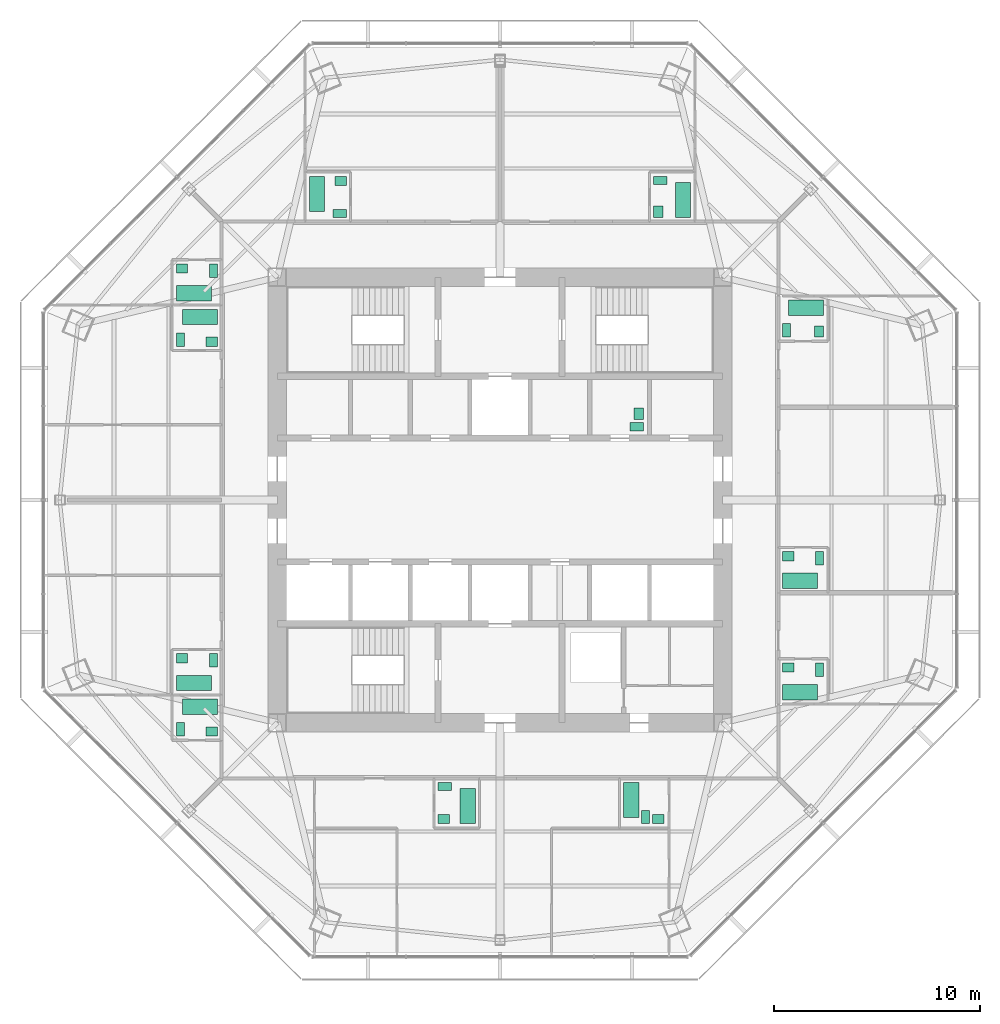
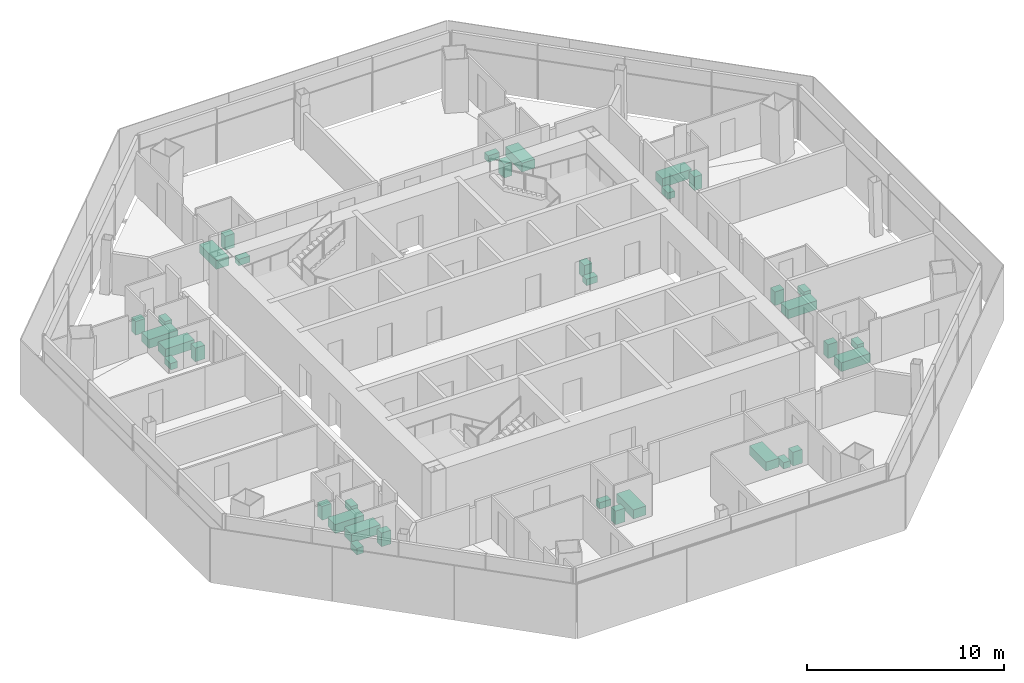
# One storey, part 15 of 15: 35 sanitary terminals.
"""IFC4 building model written with IfcOpenShell, lengths in metres."""

from ifc_helpers import new_model, si_unit, direction, frame, origin, origin_2d, place, context, subcontext, project, spatial, rectangle, extrude, material, type_object, element, save


model = new_model("IFC4")

# Units and contexts
model_context = context("Model", 3, precision=1e-05, world=origin(), true_north=direction((0.0, 1.0)))
body_context = subcontext(model_context, "Body", "Model", "MODEL_VIEW")
ifc_project = project(units=[si_unit("LENGTHUNIT", "METRE"), si_unit("AREAUNIT", "SQUARE_METRE"), si_unit("VOLUMEUNIT", "CUBIC_METRE"), si_unit("PLANEANGLEUNIT", "RADIAN"), si_unit("MASSUNIT", "GRAM", prefix="KILO")], contexts=[model_context])

# Site, building, storey
site_placement = place(None, origin())
site = spatial("IfcSite", under=ifc_project, at=site_placement, CompositionType="ELEMENT")
building_placement = place(site_placement, origin())
building = spatial("IfcBuilding", under=site, at=building_placement, Name="Mashrafa Tower", CompositionType="ELEMENT")
storey_placement = place(building_placement, frame((0.0, 0.0, 207.39990234375)))
storey = spatial("IfcBuildingStorey", under=building, at=storey_placement, Name="L47", CompositionType="ELEMENT", Elevation=207.39990234375)

# Sanitary terminals
ifc_material_1 = material(Name="Enamelled steel", Category="steel")
sanitary_terminal_type_1 = type_object("IfcSanitaryTerminalType", Name="Bath 1700 x 750", PredefinedType="BATH", material=ifc_material_1)
for number, where, z_axis, x_axis, name in (
    (1, (14.550048828125, -9.324951171875, 0.0), (0.0, 0.0, 1.0), (1.0, 0.0, 0.0), "Bath Apartment 4701 Bathroom"),
    (2, (14.550048828125, -3.925048828125, 0.0), (0.0, 0.0, 1.0), (1.0, 0.0, 0.0), "Bath Apartment 4702 Bathroom"),
    (3, (14.85009765625, 9.324951171875, 0.0), (0.0, 0.0, 1.0), (-1.0, 0.0, 0.0), "Bath Apartment 4703 Bathroom"),
    (4, (8.875, 14.550048828125, 0.0), (0.0, 0.0, 1.0), (0.0, 1.0, 0.0), "Bath Apartment 4704 Bathroom"),
    (5, (-8.875, 14.85009765625, 0.0), (0.0, 0.0, 1.0), (0.0, -1.0, 0.0), "Bath Apartment 4705 Bathroom"),
    (6, (-14.85009765625, 10.02490234375, 0.0), (0.0, 0.0, 1.0), (1.0, 0.0, 0.0), "Bath Apartment 4706 En-suite Bathroom"),
    (7, (-14.550048828125, 8.875, 0.0), (0.0, 0.0, 1.0), (-1.0, 0.0, 0.0), "Bath Apartment 4706 Bathroom"),
    (8, (-14.550048828125, -10.02490234375, 0.0), (0.0, 0.0, 1.0), (-1.0, 0.0, 0.0), "Bath Apartment 4707 En-suite Bathroom"),
    (9, (-14.85009765625, -8.875, 0.0), (0.0, 0.0, 1.0), (1.0, 0.0, 0.0), "Bath Apartment 4707 Bathroom"),
    (10, (-1.574951171875, -14.85009765625, 0.0), (0.0, 0.0, 1.0), (0.0, 1.0, 0.0), "Bath Apartment 4708 Bathroom"),
    (11, (6.375, -14.550048828125, 0.0), (0.0, 0.0, 1.0), (0.0, -1.0, 0.0), "Bath Apartment 4708 En-suite Bathroom"),
):
    element("IfcSanitaryTerminal", number, at=place(storey_placement, frame(where, z_axis=z_axis, x_axis=x_axis)), inside=storey, type_object=sanitary_terminal_type_1, Name=name, PredefinedType="BATH", context=body_context, shape_type="SweptSolid", body=[
        extrude(rectangle(XDim=1.699951171875, YDim=0.75, at=origin_2d()), origin(), (0.0, 0.0, 1.0), 0.550048828125),
    ])
ifc_material_2 = material(Name="Vitreous china")
sanitary_terminal_type_2 = type_object("IfcSanitaryTerminalType", Name="Toilet pan 400 x 650", PredefinedType="TOILETPAN", material=ifc_material_2)
for number, where, z_axis, x_axis, name in (
    (12, (6.625, 3.550048828125, 0.000244140625), (0.0, 0.0, 1.0), (0.0, 1.0, 0.0), "Toilet pan Staff WC L47"),
    (13, (15.5, -8.22509765625, 0.000244140625), (0.0, 0.0, 1.0), (-1.0, 0.0, 0.0), "Toilet pan Apartment 4701 Bathroom"),
    (14, (15.5, -2.824951171875, 0.000244140625), (0.0, 0.0, 1.0), (-1.0, 0.0, 0.0), "Toilet pan Apartment 4702 Bathroom"),
    (15, (13.89990234375, 8.22509765625, 0.000244140625), (0.0, 0.0, 1.0), (1.0, 0.0, 0.0), "Toilet pan Apartment 4703 Bathroom"),
    (16, (7.77490234375, 15.5, 0.000244140625), (0.0, 0.0, 1.0), (0.0, -1.0, 0.0), "Toilet pan Apartment 4704 Bathroom"),
    (17, (-7.77490234375, 13.89990234375, 0.000244140625), (0.0, 0.0, 1.0), (0.0, 1.0, 0.0), "Toilet pan Apartment 4705 Bathroom"),
    (18, (-13.89990234375, 11.125, 0.000244140625), (0.0, 0.0, 1.0), (-1.0, 0.0, 0.0), "Toilet pan Apartment 4706 En-suite Bathroom"),
    (19, (-15.5, 7.77490234375, 0.000244140625), (0.0, 0.0, 1.0), (1.0, 0.0, 0.0), "Toilet pan Apartment 4706 Bathroom"),
    (20, (-15.5, -11.125, 0.000244140625), (0.0, 0.0, 1.0), (1.0, 0.0, 0.0), "Toilet pan Apartment 4707 En-suite Bathroom"),
    (21, (-13.89990234375, -7.77490234375, 0.000244140625), (0.0, 0.0, 1.0), (-1.0, 0.0, 0.0), "Toilet pan Apartment 4707 Bathroom"),
    (22, (-2.675048828125, -13.89990234375, 0.000244140625), (0.0, 0.0, 1.0), (0.0, -1.0, 0.0), "Toilet pan Apartment 4708 Bathroom"),
    (23, (7.050048828125, -15.375, 0.000244140625), (0.0, 0.0, 1.0), (1.0, 0.0, 0.0), "Toilet pan Apartment 4708 En-suite Bathroom"),
):
    element("IfcSanitaryTerminal", number, at=place(storey_placement, frame(where, z_axis=z_axis, x_axis=x_axis)), inside=storey, type_object=sanitary_terminal_type_2, Name=name, PredefinedType="TOILETPAN", context=body_context, shape_type="SweptSolid", body=[
        extrude(rectangle(XDim=0.39990234375, YDim=0.64990234375, at=origin_2d()), origin(), (0.0, 0.0, 1.0), 0.39990234375),
    ])
ifc_material_3 = material(Name="Vitreous china")
sanitary_terminal_type_3 = type_object("IfcSanitaryTerminalType", Name="Wash basin 550 x 450", PredefinedType="WASHHANDBASIN", material=ifc_material_3)
for number, where, z_axis, x_axis, name in (
    (24, (6.72509765625, 4.175048828125, 0.0), (0.0, 0.0, 1.0), (0.0, 1.0, 0.0), "Wash basin Staff WC L47"),
    (25, (13.97509765625, -8.125, 0.0), (0.0, 0.0, 1.0), (-1.0, 0.0, 0.0), "Wash basin Apartment 4701 Bathroom"),
    (26, (13.97509765625, -2.72509765625, 0.0), (0.0, 0.0, 1.0), (-1.0, 0.0, 0.0), "Wash basin Apartment 4702 Bathroom"),
    (27, (15.47509765625, 8.175048828125, 0.0), (0.0, 0.0, 1.0), (0.0, 1.0, 0.0), "Wash basin Apartment 4703 Bathroom"),
    (28, (7.675048828125, 13.97509765625, 0.0), (0.0, 0.0, 1.0), (0.0, -1.0, 0.0), "Wash basin Apartment 4704 Bathroom"),
    (29, (-7.72509765625, 15.47509765625, 0.0), (0.0, 0.0, 1.0), (-1.0, 0.0, 0.0), "Wash basin Apartment 4705 Bathroom"),
    (30, (-15.425048828125, 11.22509765625, 0.0), (0.0, 0.0, 1.0), (-1.0, 0.0, 0.0), "Wash basin Apartment 4706 En-suite Bathroom"),
    (31, (-13.97509765625, 7.675048828125, 0.0), (0.0, 0.0, 1.0), (1.0, 0.0, 0.0), "Wash basin Apartment 4706 Bathroom"),
    (32, (-13.97509765625, -11.22509765625, 0.0), (0.0, 0.0, 1.0), (1.0, 0.0, 0.0), "Wash basin Apartment 4707 En-suite Bathroom"),
    (33, (-15.425048828125, -7.675048828125, 0.0), (0.0, 0.0, 1.0), (-1.0, 0.0, 0.0), "Wash basin Apartment 4707 Bathroom"),
    (34, (-2.72509765625, -15.47509765625, 0.0), (0.0, 0.0, 1.0), (1.0, 0.0, 0.0), "Wash basin Apartment 4708 Bathroom"),
    (35, (7.675048828125, -15.47509765625, 0.0), (0.0, 0.0, 1.0), (1.0, 0.0, 0.0), "Wash basin Apartment 4708 En-suite Bathroom"),
):
    element("IfcSanitaryTerminal", number, at=place(storey_placement, frame(where, z_axis=z_axis, x_axis=x_axis)), inside=storey, type_object=sanitary_terminal_type_3, Name=name, PredefinedType="WASHHANDBASIN", context=body_context, shape_type="SweptSolid", body=[
        extrude(rectangle(XDim=0.550048828125, YDim=0.449951171875, at=origin_2d()), origin(), (0.0, 0.0, 1.0), 0.85009765625),
    ])

save(model, "model.ifc")
